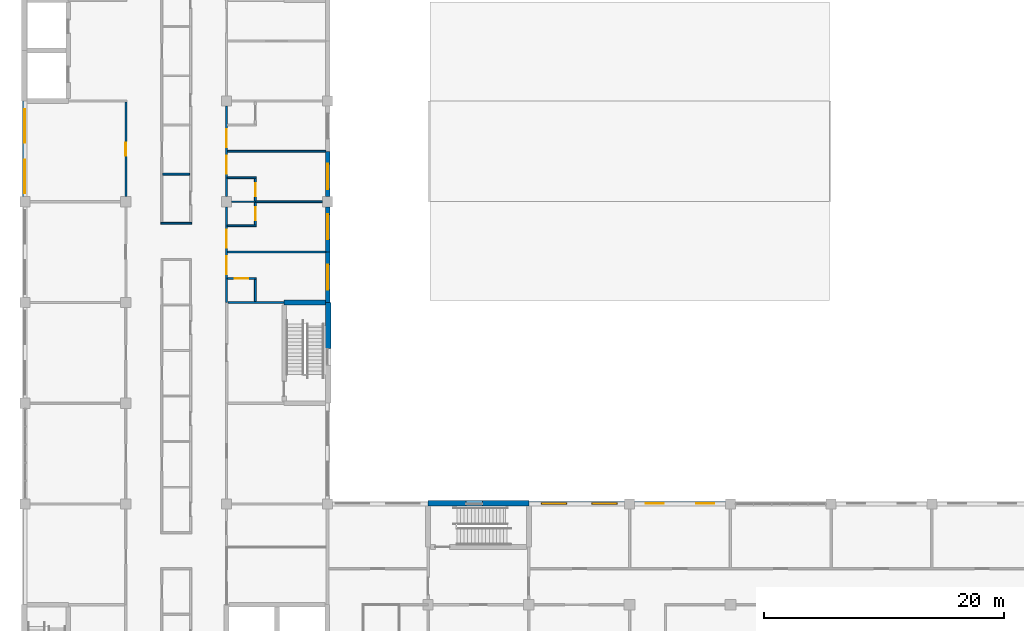
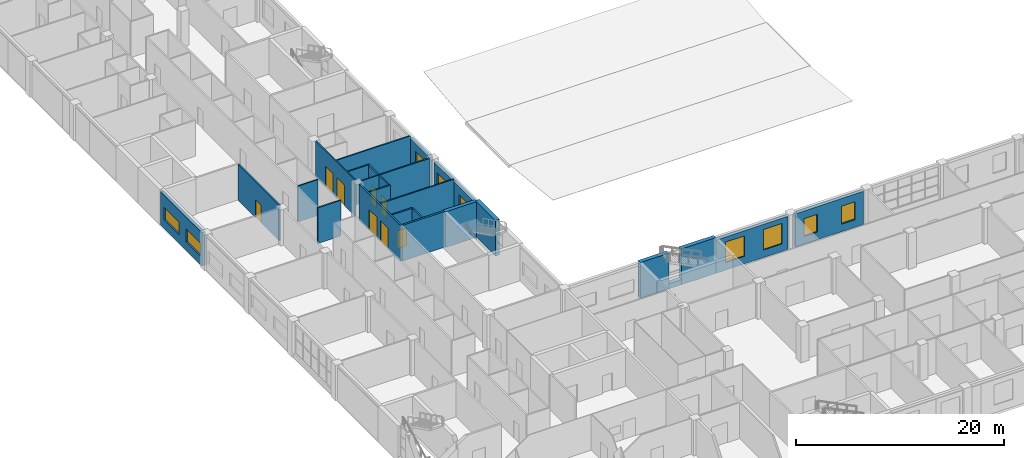
# One storey, part 37 of 66: 27 walls, 9 windows, 8 doors, 17 openings.
"""IFC4 building model written with IfcOpenShell, lengths in metres."""

from ifc_helpers import new_model, si_unit, direction, frame, frame_2d, origin, place, context, subcontext, project, spatial, rectangle, extrude, material, layer, layer_set, type_object, element, fill, save


model = new_model("IFC4")

# Units and contexts
model_context = context("Model", 3, precision=1e-05, world=origin(), true_north=direction((0.0, 1.0)))
body_context = subcontext(model_context, "Body", "Model", "MODEL_VIEW")
ifc_project = project(units=[si_unit("LENGTHUNIT", "METRE"), si_unit("AREAUNIT", "SQUARE_METRE"), si_unit("VOLUMEUNIT", "CUBIC_METRE"), si_unit("PLANEANGLEUNIT", "RADIAN"), si_unit("MASSUNIT", "GRAM", prefix="KILO")], contexts=[model_context])

# Site, building, storey
site_placement = place(None, origin())
site = spatial("IfcSite", under=ifc_project, at=site_placement, CompositionType="ELEMENT")
building_placement = place(site_placement, origin())
building = spatial("IfcBuilding", under=site, at=building_placement, Name="Yavir Park General Hospital", CompositionType="ELEMENT")
storey_placement = place(building_placement, frame((0.0, 0.0, 8.39990234375)))
storey = spatial("IfcBuildingStorey", under=building, at=storey_placement, Name="L02", CompositionType="ELEMENT", Elevation=8.39990234375)

# Wall, opening, door
ifc_material_1 = material(Name="Double-leaf gypsum board acoustic partition on staggered studs")
ifc_layer_1 = layer(ifc_material_1, 0.175048828125)
ifc_layer_set_1 = layer_set([ifc_layer_1], Name="Double-leaf gypsum board acoustic partition on staggered studs")
wall_type_1 = type_object("IfcWallType", Name="Acoustic partition 175", PredefinedType="PARTITIONING", material=ifc_layer_set_1)
wall_1_placement = place(storey_placement, frame((8.39990234375, 59.22509765625, 0.0), z_axis=(0.0, 0.0, 1.0), x_axis=(0.0, 1.0, 0.0)))
wall_1 = element("IfcWall", 1, at=wall_1_placement, inside=storey, type_object=wall_type_1, Name="AP175 L02-172", PredefinedType="PARTITIONING", context=body_context, shape_type="SweptSolid", body=[
    extrude(rectangle(XDim=7.887451171875, YDim=0.175048828125, at=frame_2d((3.94384765625, 0.0))), origin(), (0.0, 0.0, 1.0), 4.2001953125),
])
opening_1_placement = place(wall_1_placement, frame((3.393798828125, 0.0, 0.0)))
opening_1 = element("IfcOpeningElement", 2, at=opening_1_placement, cuts=wall_1, Name="Opening L02.D122", PredefinedType="OPENING", context=body_context, shape_type="SweptSolid", body=[
    extrude(rectangle(XDim=1.10009765625, YDim=2.10009765625, at=frame_2d((0.550048828125, 1.050048828125))), frame((0.0, 0.097412109375, 0.0), z_axis=(0.0, -1.0, 0.0), x_axis=(1.0, 0.0, 0.0)), (0.0, 0.0, 1.0), 0.195068359375),
])
ifc_material_2 = material(Name="Sealed solid-core acoustic door leaf, Rw 42 dB")
door_type_1 = type_object("IfcDoorType", Name="Acoustic door 1100 x 2100", OperationType="SINGLE_SWING_LEFT", PredefinedType="DOOR", material=ifc_material_2)
door_1_placement = place(opening_1_placement, origin())
door_1 = element("IfcDoor", 3, at=door_1_placement, inside=storey, type_object=door_type_1, Name="L02.D122", OperationType="SINGLE_SWING_LEFT", OverallHeight=2.10009765625, OverallWidth=1.10009765625, PredefinedType="DOOR", context=body_context, shape_type="SweptSolid", body=[
    extrude(rectangle(XDim=1.10009765625, YDim=2.10009765625, at=frame_2d((0.550048828125, 1.050048828125))), frame((0.0, 0.03515625, 0.0), z_axis=(0.0, -1.0, 0.0), x_axis=(1.0, 0.0, 0.0)), (0.0, 0.0, 1.0), 0.070068359375),
])
fill(opening_1, door_1)

# Walls
ifc_material_3 = material(Name="Double gypsum board fire partition on steel studs", Category="steel")
ifc_layer_2 = layer(ifc_material_3, 0.199951171875)
ifc_layer_set_2 = layer_set([ifc_layer_2], Name="Double gypsum board fire partition on steel studs")
wall_type_2 = type_object("IfcWallType", Name="Fire-rated partition 200, EI 60", PredefinedType="PARTITIONING", material=ifc_layer_set_2)
wall_2_placement = place(storey_placement, frame((16.89990234375, 50.39990234375, 0.0), z_axis=(0.0, 0.0, 1.0), x_axis=(1.0, 0.0, 0.0)))
element("IfcWall", 4, at=wall_2_placement, inside=storey, type_object=wall_type_2, Name="FP20 L02-093", PredefinedType="PARTITIONING", context=body_context, shape_type="SweptSolid", body=[
    extrude(rectangle(XDim=4.7001953125, YDim=0.199951171875, at=frame_2d((2.35009765625, 0.0))), origin(), (0.0, 0.0, 1.0), 4.2001953125),
])
ifc_material_4 = material(Name="Gypsum board partition on steel studs", Category="steel")
ifc_layer_3 = layer(ifc_material_4, 0.10009765625)
ifc_layer_set_3 = layer_set([ifc_layer_3], Name="Gypsum board partition on steel studs")
wall_type_3 = type_object("IfcWallType", Name="Gypsum board partition 100", PredefinedType="PARTITIONING", material=ifc_layer_set_3)
wall_3_placement = place(storey_placement, frame((17.22509765625, 58.800048828125, 0.0), z_axis=(0.0, 0.0, 1.0), x_axis=(1.0, 0.0, 0.0)))
element("IfcWall", 5, at=wall_3_placement, inside=storey, type_object=wall_type_3, Name="P10 L02-101", PredefinedType="PARTITIONING", context=body_context, shape_type="SweptSolid", body=[
    extrude(rectangle(XDim=1.974853515625, YDim=0.10009765625, at=frame_2d((0.9873046875, 0.0))), origin(), (0.0, 0.0, 1.0), 4.2001953125),
])

# Wall, opening, door
ifc_material_5 = material(Name="Gypsum board partition on steel studs", Category="steel")
ifc_layer_4 = layer(ifc_material_5, 0.14990234375)
ifc_layer_set_4 = layer_set([ifc_layer_4], Name="Gypsum board partition on steel studs")
wall_type_4 = type_object("IfcWallType", Name="Gypsum board partition 150", PredefinedType="PARTITIONING", material=ifc_layer_set_4)
wall_4_placement = place(storey_placement, frame((16.875, 52.39990234375, 0.0), z_axis=(0.0, 0.0, 1.0), x_axis=(1.0, 0.0, 0.0)))
wall_4 = element("IfcWall", 6, at=wall_4_placement, inside=storey, type_object=wall_type_4, Name="P15 L02-095", PredefinedType="PARTITIONING", context=body_context, shape_type="SweptSolid", body=[
    extrude(rectangle(XDim=2.39990234375, YDim=0.14990234375, at=frame_2d((1.199951171875, 0.0))), origin(), (0.0, 0.0, 1.0), 4.2001953125),
])
opening_2_placement = place(wall_4_placement, frame((0.612548828125, 0.0, 0.0)))
opening_2 = element("IfcOpeningElement", 7, at=opening_2_placement, cuts=wall_4, Name="Opening L02.D101", PredefinedType="OPENING", context=body_context, shape_type="SweptSolid", body=[
    extrude(rectangle(XDim=1.10009765625, YDim=2.10009765625, at=frame_2d((0.550048828125, 1.050048828125))), frame((0.0, 0.0849609375, 0.0), z_axis=(0.0, -1.0, 0.0), x_axis=(1.0, 0.0, 0.0)), (0.0, 0.0, 1.0), 0.169921875),
])
ifc_material_6 = material(Name="Hollow metal frame, solid-core timber leaf", Category="wood")
door_type_2 = type_object("IfcDoorType", Name="Single swing door 1100 x 2100", OperationType="SINGLE_SWING_LEFT", PredefinedType="DOOR", material=ifc_material_6)
door_2_placement = place(opening_2_placement, origin())
door_2 = element("IfcDoor", 8, at=door_2_placement, inside=storey, type_object=door_type_2, Name="L02.D101", OperationType="SINGLE_SWING_RIGHT", OverallHeight=2.10009765625, OverallWidth=1.10009765625, PredefinedType="DOOR", context=body_context, shape_type="SweptSolid", body=[
    extrude(rectangle(XDim=1.10009765625, YDim=2.10009765625, at=frame_2d((0.550048828125, 1.050048828125))), frame((0.0, 0.02490234375, 0.0), z_axis=(0.0, -1.0, 0.0), x_axis=(1.0, 0.0, 0.0)), (0.0, 0.0, 1.0), 0.050048828125),
])
fill(opening_2, door_2)

# Walls
wall_5_placement = place(storey_placement, frame((16.875, 54.60009765625, 0.0), z_axis=(0.0, 0.0, 1.0), x_axis=(1.0, 0.0, 0.0)))
element("IfcWall", 9, at=wall_5_placement, inside=storey, type_object=wall_type_4, Name="P15 L02-097", PredefinedType="PARTITIONING", context=body_context, shape_type="SweptSolid", body=[
    extrude(rectangle(XDim=8.175048828125, YDim=0.14990234375, at=frame_2d((4.08740234375, 0.0))), origin(), (0.0, 0.0, 1.0), 4.2001953125),
])
wall_6_placement = place(storey_placement, frame((16.875, 56.800048828125, 0.0), z_axis=(0.0, 0.0, 1.0), x_axis=(1.0, 0.0, 0.0)))
element("IfcWall", 10, at=wall_6_placement, inside=storey, type_object=wall_type_4, Name="P15 L02-098", PredefinedType="PARTITIONING", context=body_context, shape_type="SweptSolid", body=[
    extrude(rectangle(XDim=2.39990234375, YDim=0.14990234375, at=frame_2d((1.199951171875, 0.0))), origin(), (0.0, 0.0, 1.0), 4.2001953125),
])
wall_7_placement = place(storey_placement, frame((11.324951171875, 57.0, 0.0), z_axis=(0.0, 0.0, 1.0), x_axis=(1.0, 0.0, 0.0)))
element("IfcWall", 11, at=wall_7_placement, inside=storey, type_object=wall_type_4, Name="P15 L02-099", PredefinedType="PARTITIONING", context=body_context, shape_type="SweptSolid", body=[
    extrude(rectangle(XDim=2.550048828125, YDim=0.14990234375, at=frame_2d((1.27490234375, 0.0))), origin(), (0.0, 0.0, 1.0), 4.2001953125),
])
wall_8_placement = place(storey_placement, frame((19.199951171875, 58.800048828125, 0.0), z_axis=(0.0, 0.0, 1.0), x_axis=(1.0, 0.0, 0.0)))
element("IfcWall", 12, at=wall_8_placement, inside=storey, type_object=wall_type_4, Name="P15 L02-102", PredefinedType="PARTITIONING", context=body_context, shape_type="SweptSolid", body=[
    extrude(rectangle(XDim=5.574951171875, YDim=0.14990234375, at=frame_2d((2.78759765625, 0.0))), origin(), (0.0, 0.0, 1.0), 4.2001953125),
])
wall_9_placement = place(storey_placement, frame((16.875, 60.800048828125, 0.0), z_axis=(0.0, 0.0, 1.0), x_axis=(1.0, 0.0, 0.0)))
element("IfcWall", 13, at=wall_9_placement, inside=storey, type_object=wall_type_4, Name="P15 L02-103", PredefinedType="PARTITIONING", context=body_context, shape_type="SweptSolid", body=[
    extrude(rectangle(XDim=2.39990234375, YDim=0.14990234375, at=frame_2d((1.199951171875, 0.0))), origin(), (0.0, 0.0, 1.0), 4.2001953125),
])
wall_10_placement = place(storey_placement, frame((11.47509765625, 61.10009765625, 0.0), z_axis=(0.0, 0.0, 1.0), x_axis=(1.0, 0.0, 0.0)))
element("IfcWall", 14, at=wall_10_placement, inside=storey, type_object=wall_type_4, Name="P15 L02-104", PredefinedType="PARTITIONING", context=body_context, shape_type="SweptSolid", body=[
    extrude(rectangle(XDim=2.25, YDim=0.14990234375, at=frame_2d((1.125, 0.0))), origin(), (0.0, 0.0, 1.0), 4.2001953125),
])
wall_11_placement = place(storey_placement, frame((16.875, 63.0, 0.0), z_axis=(0.0, 0.0, 1.0), x_axis=(1.0, 0.0, 0.0)))
element("IfcWall", 15, at=wall_11_placement, inside=storey, type_object=wall_type_4, Name="P15 L02-105", PredefinedType="PARTITIONING", context=body_context, shape_type="SweptSolid", body=[
    extrude(rectangle(XDim=8.175048828125, YDim=0.14990234375, at=frame_2d((4.08740234375, 0.0))), origin(), (0.0, 0.0, 1.0), 4.2001953125),
])

# Wall, openings, doors
wall_12_placement = place(storey_placement, frame((16.800048828125, 50.39990234375, 0.0), z_axis=(0.0, 0.0, 1.0), x_axis=(0.0, 1.0, 0.0)))
wall_12 = element("IfcWall", 16, at=wall_12_placement, inside=storey, type_object=wall_type_4, Name="P15 L02-200", PredefinedType="PARTITIONING", context=body_context, shape_type="SweptSolid", body=[
    extrude(rectangle(XDim=7.97509765625, YDim=0.14990234375, at=frame_2d((3.987548828125, 0.0))), origin(), (0.0, 0.0, 1.0), 4.2001953125),
])
opening_3_placement = place(wall_12_placement, frame((2.35009765625, 0.0, 0.0)))
opening_3 = element("IfcOpeningElement", 17, at=opening_3_placement, cuts=wall_12, Name="Opening L02.D158", PredefinedType="OPENING", context=body_context, shape_type="SweptSolid", body=[
    extrude(rectangle(XDim=1.5, YDim=2.39990234375, at=frame_2d((0.75, 1.199951171875))), frame((0.0, 0.0849609375, 0.0), z_axis=(0.0, -1.0, 0.0), x_axis=(1.0, 0.0, 0.0)), (0.0, 0.0, 1.0), 0.169921875),
])
opening_4_placement = place(wall_12_placement, frame((4.550048828125, 0.0, 0.0)))
opening_4 = element("IfcOpeningElement", 18, at=opening_4_placement, cuts=wall_12, Name="Opening L02.D159", PredefinedType="OPENING", context=body_context, shape_type="SweptSolid", body=[
    extrude(rectangle(XDim=1.5, YDim=2.39990234375, at=frame_2d((0.75, 1.199951171875))), frame((0.0, 0.0849609375, 0.0), z_axis=(0.0, -1.0, 0.0), x_axis=(1.0, 0.0, 0.0)), (0.0, 0.0, 1.0), 0.169921875),
])
ifc_material_7 = material(Name="Solid-core timber leaves, push plates, kick plates", Category="wood")
door_type_3 = type_object("IfcDoorType", Name="Bed door, unequal leaves 1500 x 2400", OperationType="DOUBLE_DOOR_SINGLE_SWING", PredefinedType="DOOR", material=ifc_material_7)
door_3_placement = place(opening_3_placement, origin())
door_3 = element("IfcDoor", 19, at=door_3_placement, inside=storey, type_object=door_type_3, Name="L02.D158", OperationType="SINGLE_SWING_LEFT", OverallHeight=2.39990234375, OverallWidth=1.5, PredefinedType="DOOR", context=body_context, shape_type="SweptSolid", body=[
    extrude(rectangle(XDim=1.5, YDim=2.39990234375, at=frame_2d((0.75, 1.199951171875))), frame((0.0, 0.030029296875, 0.0), z_axis=(0.0, -1.0, 0.0), x_axis=(1.0, 0.0, 0.0)), (0.0, 0.0, 1.0), 0.06005859375),
])
fill(opening_3, door_3)
door_4_placement = place(opening_4_placement, origin())
door_4 = element("IfcDoor", 20, at=door_4_placement, inside=storey, type_object=door_type_3, Name="L02.D159", OperationType="SINGLE_SWING_LEFT", OverallHeight=2.39990234375, OverallWidth=1.5, PredefinedType="DOOR", context=body_context, shape_type="SweptSolid", body=[
    extrude(rectangle(XDim=1.5, YDim=2.39990234375, at=frame_2d((0.75, 1.199951171875))), frame((0.0, 0.030029296875, 0.0), z_axis=(0.0, -1.0, 0.0), x_axis=(1.0, 0.0, 0.0)), (0.0, 0.0, 1.0), 0.06005859375),
])
fill(opening_4, door_4)

wall_13_placement = place(storey_placement, frame((16.800048828125, 59.22509765625, 0.0), z_axis=(0.0, 0.0, 1.0), x_axis=(0.0, 1.0, 0.0)))
wall_13 = element("IfcWall", 21, at=wall_13_placement, inside=storey, type_object=wall_type_4, Name="P15 L02-201", PredefinedType="PARTITIONING", context=body_context, shape_type="SweptSolid", body=[
    extrude(rectangle(XDim=7.5498046875, YDim=0.14990234375, at=frame_2d((3.77490234375, 0.0))), origin(), (0.0, 0.0, 1.0), 4.2001953125),
])
opening_5_placement = place(wall_13_placement, frame((1.925048828125, 0.0, 0.0)))
opening_5 = element("IfcOpeningElement", 22, at=opening_5_placement, cuts=wall_13, Name="Opening L02.D160", PredefinedType="OPENING", context=body_context, shape_type="SweptSolid", body=[
    extrude(rectangle(XDim=1.5, YDim=2.39990234375, at=frame_2d((0.75, 1.199951171875))), frame((0.0, 0.0849609375, 0.0), z_axis=(0.0, -1.0, 0.0), x_axis=(1.0, 0.0, 0.0)), (0.0, 0.0, 1.0), 0.169921875),
])
opening_6_placement = place(wall_13_placement, frame((4.125, 0.0, 0.0)))
opening_6 = element("IfcOpeningElement", 23, at=opening_6_placement, cuts=wall_13, Name="Opening L02.D161", PredefinedType="OPENING", context=body_context, shape_type="SweptSolid", body=[
    extrude(rectangle(XDim=1.5, YDim=2.39990234375, at=frame_2d((0.75, 1.199951171875))), frame((0.0, 0.0849609375, 0.0), z_axis=(0.0, -1.0, 0.0), x_axis=(1.0, 0.0, 0.0)), (0.0, 0.0, 1.0), 0.169921875),
])
door_5_placement = place(opening_5_placement, origin())
door_5 = element("IfcDoor", 24, at=door_5_placement, inside=storey, type_object=door_type_3, Name="L02.D160", OperationType="SINGLE_SWING_LEFT", OverallHeight=2.39990234375, OverallWidth=1.5, PredefinedType="DOOR", context=body_context, shape_type="SweptSolid", body=[
    extrude(rectangle(XDim=1.5, YDim=2.39990234375, at=frame_2d((0.75, 1.199951171875))), frame((0.0, 0.030029296875, 0.0), z_axis=(0.0, -1.0, 0.0), x_axis=(1.0, 0.0, 0.0)), (0.0, 0.0, 1.0), 0.06005859375),
])
fill(opening_5, door_5)
door_6_placement = place(opening_6_placement, origin())
door_6 = element("IfcDoor", 25, at=door_6_placement, inside=storey, type_object=door_type_3, Name="L02.D161", OperationType="SINGLE_SWING_LEFT", OverallHeight=2.39990234375, OverallWidth=1.5, PredefinedType="DOOR", context=body_context, shape_type="SweptSolid", body=[
    extrude(rectangle(XDim=1.5, YDim=2.39990234375, at=frame_2d((0.75, 1.199951171875))), frame((0.0, 0.030029296875, 0.0), z_axis=(0.0, -1.0, 0.0), x_axis=(1.0, 0.0, 0.0)), (0.0, 0.0, 1.0), 0.06005859375),
])
fill(opening_6, door_6)

# Wall
wall_14_placement = place(storey_placement, frame((19.199951171875, 50.5, 0.0), z_axis=(0.0, 0.0, 1.0), x_axis=(0.0, 1.0, 0.0)))
element("IfcWall", 26, at=wall_14_placement, inside=storey, type_object=wall_type_4, Name="P15 L02-207", PredefinedType="PARTITIONING", context=body_context, shape_type="SweptSolid", body=[
    extrude(rectangle(XDim=1.824951171875, YDim=0.14990234375, at=frame_2d((0.91259765625, 0.0))), origin(), (0.0, 0.0, 1.0), 4.2001953125),
])

# Wall, opening, door
wall_15_placement = place(storey_placement, frame((19.199951171875, 56.875, 0.0), z_axis=(0.0, 0.0, 1.0), x_axis=(0.0, 1.0, 0.0)))
wall_15 = element("IfcWall", 27, at=wall_15_placement, inside=storey, type_object=wall_type_4, Name="P15 L02-208", PredefinedType="PARTITIONING", context=body_context, shape_type="SweptSolid", body=[
    extrude(rectangle(XDim=1.85009765625, YDim=0.14990234375, at=frame_2d((0.925048828125, 0.0))), origin(), (0.0, 0.0, 1.0), 4.2001953125),
])
opening_7_placement = place(wall_15_placement, frame((0.375, 0.0, 0.0)))
opening_7 = element("IfcOpeningElement", 28, at=opening_7_placement, cuts=wall_15, Name="Opening L02.D167", PredefinedType="OPENING", context=body_context, shape_type="SweptSolid", body=[
    extrude(rectangle(XDim=1.10009765625, YDim=2.10009765625, at=frame_2d((0.550048828125, 1.050048828125))), frame((0.0, 0.0849609375, 0.0), z_axis=(0.0, -1.0, 0.0), x_axis=(1.0, 0.0, 0.0)), (0.0, 0.0, 1.0), 0.169921875),
])
door_7_placement = place(opening_7_placement, origin())
door_7 = element("IfcDoor", 29, at=door_7_placement, inside=storey, type_object=door_type_2, Name="L02.D167", OperationType="SINGLE_SWING_RIGHT", OverallHeight=2.10009765625, OverallWidth=1.10009765625, PredefinedType="DOOR", context=body_context, shape_type="SweptSolid", body=[
    extrude(rectangle(XDim=1.10009765625, YDim=2.10009765625, at=frame_2d((0.550048828125, 1.050048828125))), frame((0.0, 0.02490234375, 0.0), z_axis=(0.0, -1.0, 0.0), x_axis=(1.0, 0.0, 0.0)), (0.0, 0.0, 1.0), 0.050048828125),
])
fill(opening_7, door_7)

wall_16_placement = place(storey_placement, frame((19.199951171875, 58.875, 0.0), z_axis=(0.0, 0.0, 1.0), x_axis=(0.0, 1.0, 0.0)))
wall_16 = element("IfcWall", 30, at=wall_16_placement, inside=storey, type_object=wall_type_4, Name="P15 L02-209", PredefinedType="PARTITIONING", context=body_context, shape_type="SweptSolid", body=[
    extrude(rectangle(XDim=1.85009765625, YDim=0.14990234375, at=frame_2d((0.925048828125, 0.0))), origin(), (0.0, 0.0, 1.0), 4.2001953125),
])
opening_8_placement = place(wall_16_placement, frame((0.375, 0.0, 0.0)))
opening_8 = element("IfcOpeningElement", 31, at=opening_8_placement, cuts=wall_16, Name="Opening L02.D168", PredefinedType="OPENING", context=body_context, shape_type="SweptSolid", body=[
    extrude(rectangle(XDim=1.10009765625, YDim=2.10009765625, at=frame_2d((0.550048828125, 1.050048828125))), frame((0.0, 0.0849609375, 0.0), z_axis=(0.0, -1.0, 0.0), x_axis=(1.0, 0.0, 0.0)), (0.0, 0.0, 1.0), 0.169921875),
])
door_8_placement = place(opening_8_placement, origin())
door_8 = element("IfcDoor", 32, at=door_8_placement, inside=storey, type_object=door_type_2, Name="L02.D168", OperationType="SINGLE_SWING_LEFT", OverallHeight=2.10009765625, OverallWidth=1.10009765625, PredefinedType="DOOR", context=body_context, shape_type="SweptSolid", body=[
    extrude(rectangle(XDim=1.10009765625, YDim=2.10009765625, at=frame_2d((0.550048828125, 1.050048828125))), frame((0.0, 0.02490234375, 0.0), z_axis=(0.0, -1.0, 0.0), x_axis=(1.0, 0.0, 0.0)), (0.0, 0.0, 1.0), 0.050048828125),
])
fill(opening_8, door_8)

# Wall, openings, windows
ifc_material_8 = material(Name="Autoclaved aerated block, 150 mm mineral wool and sand-coloured mineral render")
ifc_layer_5 = layer(ifc_material_8, 0.375)
ifc_layer_set_5 = layer_set([ifc_layer_5], Name="Autoclaved aerated block, 150 mm mineral wool and sand-coloured mineral render")
wall_type_5 = type_object("IfcWallType", Name="Mineral render clinical wall 375, E 30", PredefinedType="SOLIDWALL", material=ifc_layer_set_5)
wall_17_placement = place(storey_placement, frame((42.0, 33.637451171875, 0.0), z_axis=(0.0, 0.0, 1.0), x_axis=(1.0, 0.0, 0.0)))
wall_17 = element("IfcWall", 33, at=wall_17_placement, inside=storey, type_object=wall_type_5, Name="XW1 L02-050", PredefinedType="SOLIDWALL", context=body_context, shape_type="SweptSolid", body=[
    extrude(rectangle(XDim=7.97509765625, YDim=0.375, at=frame_2d((3.987548828125, 0.0))), origin(), (0.0, 0.0, 1.0), 3.900146484375),
])
opening_9_placement = place(wall_17_placement, frame((1.050048828125, 0.0, 0.89990234375)))
opening_9 = element("IfcOpeningElement", 34, at=opening_9_placement, cuts=wall_17, Name="Opening LVO2", PredefinedType="OPENING", context=body_context, shape_type="SweptSolid", body=[
    extrude(rectangle(XDim=2.10009765625, YDim=2.39990234375, at=frame_2d((1.050048828125, 1.199951171875))), frame((0.0, 0.197509765625, 0.0), z_axis=(0.0, -1.0, 0.0), x_axis=(1.0, 0.0, 0.0)), (0.0, 0.0, 1.0), 0.39501953125),
])
opening_10_placement = place(wall_17_placement, frame((5.25, 0.0, 0.89990234375)))
opening_10 = element("IfcOpeningElement", 35, at=opening_10_placement, cuts=wall_17, Name="Opening LVO2", PredefinedType="OPENING", context=body_context, shape_type="SweptSolid", body=[
    extrude(rectangle(XDim=2.10009765625, YDim=2.39990234375, at=frame_2d((1.050048828125, 1.199951171875))), frame((0.0, 0.197509765625, 0.0), z_axis=(0.0, -1.0, 0.0), x_axis=(1.0, 0.0, 0.0)), (0.0, 0.0, 1.0), 0.39501953125),
])
ifc_material_9 = material(Name="Anodised aluminium louvre blades in a deep frame", Category="aluminium")
window_type_1 = type_object("IfcWindowType", Name="Tall fixed louvre panel with insulated back panel 2100 x 2400", PartitioningType="SINGLE_PANEL", PredefinedType="WINDOW", material=ifc_material_9)
window_1_placement = place(opening_9_placement, origin())
window_1 = element("IfcWindow", 36, at=window_1_placement, inside=storey, type_object=window_type_1, Name="LVO2 L02-022", OverallHeight=2.39990234375, OverallWidth=2.10009765625, PartitioningType="SINGLE_PANEL", PredefinedType="WINDOW", context=body_context, shape_type="SweptSolid", body=[
    extrude(rectangle(XDim=2.10009765625, YDim=2.39990234375, at=frame_2d((1.050048828125, 1.199951171875))), frame((0.0, 0.074951171875, 0.0), z_axis=(0.0, -1.0, 0.0), x_axis=(1.0, 0.0, 0.0)), (0.0, 0.0, 1.0), 0.14990234375),
])
fill(opening_9, window_1)
window_2_placement = place(opening_10_placement, origin())
window_2 = element("IfcWindow", 37, at=window_2_placement, inside=storey, type_object=window_type_1, Name="LVO2 L02-023", OverallHeight=2.39990234375, OverallWidth=2.10009765625, PartitioningType="SINGLE_PANEL", PredefinedType="WINDOW", context=body_context, shape_type="SweptSolid", body=[
    extrude(rectangle(XDim=2.10009765625, YDim=2.39990234375, at=frame_2d((1.050048828125, 1.199951171875))), frame((0.0, 0.074951171875, 0.0), z_axis=(0.0, -1.0, 0.0), x_axis=(1.0, 0.0, 0.0)), (0.0, 0.0, 1.0), 0.14990234375),
])
fill(opening_10, window_2)

wall_18_placement = place(storey_placement, frame((50.824951171875, 33.637451171875, 0.0), z_axis=(0.0, 0.0, 1.0), x_axis=(1.0, 0.0, 0.0)))
wall_18 = element("IfcWall", 38, at=wall_18_placement, inside=storey, type_object=wall_type_5, Name="XW1 L02-051", PredefinedType="SOLIDWALL", context=body_context, shape_type="SweptSolid", body=[
    extrude(rectangle(XDim=7.550048828125, YDim=0.375, at=frame_2d((3.77490234375, 0.0))), origin(), (0.0, 0.0, 1.0), 3.900146484375),
])
opening_11_placement = place(wall_18_placement, frame((0.925048828125, 0.0, 0.89990234375)))
opening_11 = element("IfcOpeningElement", 39, at=opening_11_placement, cuts=wall_18, Name="Opening WC2", PredefinedType="OPENING", context=body_context, shape_type="SweptSolid", body=[
    extrude(rectangle(XDim=1.5, YDim=2.10009765625, at=frame_2d((0.75, 1.050048828125))), frame((0.0, 0.197509765625, 0.0), z_axis=(0.0, -1.0, 0.0), x_axis=(1.0, 0.0, 0.0)), (0.0, 0.0, 1.0), 0.39501953125),
])
opening_12_placement = place(wall_18_placement, frame((5.125, 0.0, 0.89990234375)))
opening_12 = element("IfcOpeningElement", 40, at=opening_12_placement, cuts=wall_18, Name="Opening WC2", PredefinedType="OPENING", context=body_context, shape_type="SweptSolid", body=[
    extrude(rectangle(XDim=1.5, YDim=2.10009765625, at=frame_2d((0.75, 1.050048828125))), frame((0.0, 0.197509765625, 0.0), z_axis=(0.0, -1.0, 0.0), x_axis=(1.0, 0.0, 0.0)), (0.0, 0.0, 1.0), 0.39501953125),
])
ifc_material_10 = material(Name="Aluminium frame, double glazed unit", Category="aluminium")
window_type_2 = type_object("IfcWindowType", Name="Tall consulting room window 1500 x 2100", PartitioningType="SINGLE_PANEL", PredefinedType="WINDOW", material=ifc_material_10)
window_3_placement = place(opening_11_placement, origin())
window_3 = element("IfcWindow", 41, at=window_3_placement, inside=storey, type_object=window_type_2, Name="WC2 L02-024", OverallHeight=2.10009765625, OverallWidth=1.5, PartitioningType="SINGLE_PANEL", PredefinedType="WINDOW", context=body_context, shape_type="SweptSolid", body=[
    extrude(rectangle(XDim=1.5, YDim=2.10009765625, at=frame_2d((0.75, 1.050048828125))), frame((0.0, 0.030029296875, 0.0), z_axis=(0.0, -1.0, 0.0), x_axis=(1.0, 0.0, 0.0)), (0.0, 0.0, 1.0), 0.06005859375),
])
fill(opening_11, window_3)
window_4_placement = place(opening_12_placement, origin())
window_4 = element("IfcWindow", 42, at=window_4_placement, inside=storey, type_object=window_type_2, Name="WC2 L02-025", OverallHeight=2.10009765625, OverallWidth=1.5, PartitioningType="SINGLE_PANEL", PredefinedType="WINDOW", context=body_context, shape_type="SweptSolid", body=[
    extrude(rectangle(XDim=1.5, YDim=2.10009765625, at=frame_2d((0.75, 1.050048828125))), frame((0.0, 0.030029296875, 0.0), z_axis=(0.0, -1.0, 0.0), x_axis=(1.0, 0.0, 0.0)), (0.0, 0.0, 1.0), 0.06005859375),
])
fill(opening_12, window_4)

wall_19_placement = place(storey_placement, frame((-0.03759765625, 59.22509765625, 0.0), z_axis=(0.0, 0.0, 1.0), x_axis=(0.0, 1.0, 0.0)))
wall_19 = element("IfcWall", 43, at=wall_19_placement, inside=storey, type_object=wall_type_5, Name="XW1 L02-121", PredefinedType="SOLIDWALL", context=body_context, shape_type="SweptSolid", body=[
    extrude(rectangle(XDim=7.974853515625, YDim=0.375, at=frame_2d((3.9873046875, 0.0))), origin(), (0.0, 0.0, 1.0), 3.900146484375),
])
opening_13_placement = place(wall_19_placement, frame((0.27490234375, 0.0, 1.0)))
opening_13 = element("IfcOpeningElement", 44, at=opening_13_placement, cuts=wall_19, Name="Opening WRB2", PredefinedType="OPENING", context=body_context, shape_type="SweptSolid", body=[
    extrude(rectangle(XDim=2.800048828125, YDim=1.5, at=frame_2d((1.39990234375, 0.75))), frame((0.0, 0.197509765625, 0.0), z_axis=(0.0, -1.0, 0.0), x_axis=(1.0, 0.0, 0.0)), (0.0, 0.0, 1.0), 0.39501953125),
])
opening_14_placement = place(wall_19_placement, frame((4.47509765625, 0.0, 1.0)))
opening_14 = element("IfcOpeningElement", 45, at=opening_14_placement, cuts=wall_19, Name="Opening WRB2", PredefinedType="OPENING", context=body_context, shape_type="SweptSolid", body=[
    extrude(rectangle(XDim=2.800048828125, YDim=1.5, at=frame_2d((1.39990234375, 0.75))), frame((0.0, 0.197509765625, 0.0), z_axis=(0.0, -1.0, 0.0), x_axis=(1.0, 0.0, 0.0)), (0.0, 0.0, 1.0), 0.39501953125),
])
ifc_material_11 = material(Name="Aluminium frame, double glazed unit", Category="aluminium")
window_type_3 = type_object("IfcWindowType", Name="Tall ribbon window 2800 x 1500", PartitioningType="DOUBLE_PANEL_VERTICAL", PredefinedType="WINDOW", material=ifc_material_11)
window_5_placement = place(opening_13_placement, origin())
window_5 = element("IfcWindow", 46, at=window_5_placement, inside=storey, type_object=window_type_3, Name="WRB2 L02-054", OverallHeight=1.5, OverallWidth=2.800048828125, PartitioningType="DOUBLE_PANEL_VERTICAL", PredefinedType="WINDOW", context=body_context, shape_type="SweptSolid", body=[
    extrude(rectangle(XDim=2.800048828125, YDim=1.5, at=frame_2d((1.39990234375, 0.75))), frame((0.0, 0.030029296875, 0.0), z_axis=(0.0, -1.0, 0.0), x_axis=(1.0, 0.0, 0.0)), (0.0, 0.0, 1.0), 0.06005859375),
])
fill(opening_13, window_5)
window_6_placement = place(opening_14_placement, origin())
window_6 = element("IfcWindow", 47, at=window_6_placement, inside=storey, type_object=window_type_3, Name="WRB2 L02-055", OverallHeight=1.5, OverallWidth=2.800048828125, PartitioningType="DOUBLE_PANEL_VERTICAL", PredefinedType="WINDOW", context=body_context, shape_type="SweptSolid", body=[
    extrude(rectangle(XDim=2.800048828125, YDim=1.5, at=frame_2d((1.39990234375, 0.75))), frame((0.0, 0.030029296875, 0.0), z_axis=(0.0, -1.0, 0.0), x_axis=(1.0, 0.0, 0.0)), (0.0, 0.0, 1.0), 0.06005859375),
])
fill(opening_14, window_6)

# Wall, opening, window
wall_20_placement = place(storey_placement, frame((25.237548828125, 50.39990234375, 0.0), z_axis=(0.0, 0.0, 1.0), x_axis=(0.0, 1.0, 0.0)))
wall_20 = element("IfcWall", 48, at=wall_20_placement, inside=storey, type_object=wall_type_5, Name="XW1 L02-140", PredefinedType="SOLIDWALL", context=body_context, shape_type="SweptSolid", body=[
    extrude(rectangle(XDim=4.2001953125, YDim=0.375, at=frame_2d((2.10009765625, 0.0))), origin(), (0.0, 0.0, 1.0), 3.900146484375),
])
opening_15_placement = place(wall_20_placement, frame((1.050048828125, 0.0, 0.89990234375)))
opening_15 = element("IfcOpeningElement", 49, at=opening_15_placement, cuts=wall_20, Name="Opening WA2", PredefinedType="OPENING", context=body_context, shape_type="SweptSolid", body=[
    extrude(rectangle(XDim=2.10009765625, YDim=2.10009765625, at=frame_2d((1.050048828125, 1.050048828125))), frame((0.0, 0.197509765625, 0.0), z_axis=(0.0, -1.0, 0.0), x_axis=(1.0, 0.0, 0.0)), (0.0, 0.0, 1.0), 0.39501953125),
])
ifc_material_12 = material(Name="Aluminium frame, double glazed unit", Category="aluminium")
window_type_4 = type_object("IfcWindowType", Name="Tall window 2100 x 2100", PartitioningType="DOUBLE_PANEL_VERTICAL", PredefinedType="WINDOW", material=ifc_material_12)
window_7_placement = place(opening_15_placement, origin())
window_7 = element("IfcWindow", 50, at=window_7_placement, inside=storey, type_object=window_type_4, Name="WA2 L02-058", OverallHeight=2.10009765625, OverallWidth=2.10009765625, PartitioningType="DOUBLE_PANEL_VERTICAL", PredefinedType="WINDOW", context=body_context, shape_type="SweptSolid", body=[
    extrude(rectangle(XDim=2.10009765625, YDim=2.10009765625, at=frame_2d((1.050048828125, 1.050048828125))), frame((0.0, 0.030029296875, 0.0), z_axis=(0.0, -1.0, 0.0), x_axis=(1.0, 0.0, 0.0)), (0.0, 0.0, 1.0), 0.06005859375),
])
fill(opening_15, window_7)

wall_21_placement = place(storey_placement, frame((25.237548828125, 54.60009765625, 0.0), z_axis=(0.0, 0.0, 1.0), x_axis=(0.0, 1.0, 0.0)))
wall_21 = element("IfcWall", 51, at=wall_21_placement, inside=storey, type_object=wall_type_5, Name="XW1 L02-141", PredefinedType="SOLIDWALL", context=body_context, shape_type="SweptSolid", body=[
    extrude(rectangle(XDim=3.77490234375, YDim=0.375, at=frame_2d((1.887451171875, 0.0))), origin(), (0.0, 0.0, 1.0), 3.900146484375),
])
opening_16_placement = place(wall_21_placement, frame((1.050048828125, 0.0, 0.89990234375)))
opening_16 = element("IfcOpeningElement", 52, at=opening_16_placement, cuts=wall_21, Name="Opening WA2", PredefinedType="OPENING", context=body_context, shape_type="SweptSolid", body=[
    extrude(rectangle(XDim=2.10009765625, YDim=2.10009765625, at=frame_2d((1.050048828125, 1.050048828125))), frame((0.0, 0.197509765625, 0.0), z_axis=(0.0, -1.0, 0.0), x_axis=(1.0, 0.0, 0.0)), (0.0, 0.0, 1.0), 0.39501953125),
])
window_8_placement = place(opening_16_placement, origin())
window_8 = element("IfcWindow", 53, at=window_8_placement, inside=storey, type_object=window_type_4, Name="WA2 L02-059", OverallHeight=2.10009765625, OverallWidth=2.10009765625, PartitioningType="DOUBLE_PANEL_VERTICAL", PredefinedType="WINDOW", context=body_context, shape_type="SweptSolid", body=[
    extrude(rectangle(XDim=2.10009765625, YDim=2.10009765625, at=frame_2d((1.050048828125, 1.050048828125))), frame((0.0, 0.030029296875, 0.0), z_axis=(0.0, -1.0, 0.0), x_axis=(1.0, 0.0, 0.0)), (0.0, 0.0, 1.0), 0.06005859375),
])
fill(opening_16, window_8)

wall_22_placement = place(storey_placement, frame((25.237548828125, 59.22509765625, 0.0), z_axis=(0.0, 0.0, 1.0), x_axis=(0.0, 1.0, 0.0)))
wall_22 = element("IfcWall", 54, at=wall_22_placement, inside=storey, type_object=wall_type_5, Name="XW1 L02-142", PredefinedType="SOLIDWALL", context=body_context, shape_type="SweptSolid", body=[
    extrude(rectangle(XDim=3.77490234375, YDim=0.375, at=frame_2d((1.887451171875, 0.0))), origin(), (0.0, 0.0, 1.0), 3.900146484375),
])
opening_17_placement = place(wall_22_placement, frame((0.625, 0.0, 0.89990234375)))
opening_17 = element("IfcOpeningElement", 55, at=opening_17_placement, cuts=wall_22, Name="Opening WA2", PredefinedType="OPENING", context=body_context, shape_type="SweptSolid", body=[
    extrude(rectangle(XDim=2.10009765625, YDim=2.10009765625, at=frame_2d((1.050048828125, 1.050048828125))), frame((0.0, 0.197509765625, 0.0), z_axis=(0.0, -1.0, 0.0), x_axis=(1.0, 0.0, 0.0)), (0.0, 0.0, 1.0), 0.39501953125),
])
window_9_placement = place(opening_17_placement, origin())
window_9 = element("IfcWindow", 56, at=window_9_placement, inside=storey, type_object=window_type_4, Name="WA2 L02-060", OverallHeight=2.10009765625, OverallWidth=2.10009765625, PartitioningType="DOUBLE_PANEL_VERTICAL", PredefinedType="WINDOW", context=body_context, shape_type="SweptSolid", body=[
    extrude(rectangle(XDim=2.10009765625, YDim=2.10009765625, at=frame_2d((1.050048828125, 1.050048828125))), frame((0.0, 0.030029296875, 0.0), z_axis=(0.0, -1.0, 0.0), x_axis=(1.0, 0.0, 0.0)), (0.0, 0.0, 1.0), 0.06005859375),
])
fill(opening_17, window_9)

# Walls
ifc_material_13 = material(Name="Concrete C35/45", Category="concrete")
ifc_layer_6 = layer(ifc_material_13, 0.39990234375)
ifc_layer_set_6 = layer_set([ifc_layer_6], Name="Concrete C35/45")
wall_type_6 = type_object("IfcWallType", Name="Reinforced concrete core wall 400, REI 150", PredefinedType="SHEAR", material=ifc_layer_set_6)
wall_23_placement = place(storey_placement, frame((21.60009765625, 50.39990234375, 0.0), z_axis=(0.0, 0.0, 1.0), x_axis=(1.0, 0.0, 0.0)))
element("IfcWall", 57, at=wall_23_placement, inside=storey, type_object=wall_type_6, Name="CW40 L02-094", PredefinedType="SHEAR", context=body_context, shape_type="SweptSolid", body=[
    extrude(rectangle(XDim=3.449951171875, YDim=0.39990234375, at=frame_2d((1.72509765625, 0.0))), origin(), (0.0, 0.0, 1.0), 4.2001953125),
])
ifc_material_14 = material(Name="Concrete C30/37 precast panel with 150 mm mineral wool insulation", Category="concrete")
ifc_layer_7 = layer(ifc_material_14, 0.449951171875)
ifc_layer_set_7 = layer_set([ifc_layer_7], Name="Concrete C30/37 precast panel with 150 mm mineral wool insulation")
wall_type_7 = type_object("IfcWallType", Name="Stair enclosure wall 450, REI 150", PredefinedType="SOLIDWALL", material=ifc_layer_set_7)
wall_24_placement = place(storey_placement, frame((33.60009765625, 33.675048828125, 0.0), z_axis=(0.0, 0.0, 1.0), x_axis=(1.0, 0.0, 0.0)))
element("IfcWall", 58, at=wall_24_placement, inside=storey, type_object=wall_type_7, Name="XW6 L02-047", PredefinedType="SOLIDWALL", context=body_context, shape_type="SweptSolid", body=[
    extrude(rectangle(XDim=3.14990234375, YDim=0.449951171875, at=frame_2d((1.574951171875, 0.0))), origin(), (0.0, 0.0, 1.0), 4.2001953125),
])
wall_25_placement = place(storey_placement, frame((38.14990234375, 33.675048828125, 0.0), z_axis=(0.0, 0.0, 1.0), x_axis=(1.0, 0.0, 0.0)))
element("IfcWall", 59, at=wall_25_placement, inside=storey, type_object=wall_type_7, Name="XW6 L02-048", PredefinedType="SOLIDWALL", context=body_context, shape_type="SweptSolid", body=[
    extrude(rectangle(XDim=3.85009765625, YDim=0.449951171875, at=frame_2d((1.925048828125, 0.0))), origin(), (0.0, 0.0, 1.0), 4.2001953125),
])
wall_26_placement = place(storey_placement, frame((36.75, 33.675048828125, 0.0), z_axis=(0.0, 0.0, 1.0), x_axis=(1.0, 0.0, 0.0)))
element("IfcWall", 60, at=wall_26_placement, inside=storey, type_object=wall_type_7, Name="XW6 L02-049", PredefinedType="SOLIDWALL", context=body_context, shape_type="SweptSolid", body=[
    extrude(rectangle(XDim=1.39990234375, YDim=0.449951171875, at=frame_2d((0.699951171875, 0.0))), origin(), (0.0, 0.0, 1.0), 0.60009765625),
])
wall_27_placement = place(storey_placement, frame((25.27490234375, 46.550048828125, 0.0), z_axis=(0.0, 0.0, 1.0), x_axis=(0.0, 1.0, 0.0)))
element("IfcWall", 61, at=wall_27_placement, inside=storey, type_object=wall_type_7, Name="XW6 L02-138", PredefinedType="SOLIDWALL", context=body_context, shape_type="SweptSolid", body=[
    extrude(rectangle(XDim=3.849853515625, YDim=0.449951171875, at=frame_2d((1.9248046875, 0.0))), origin(), (0.0, 0.0, 1.0), 4.2001953125),
])

save(model, "model.ifc")
